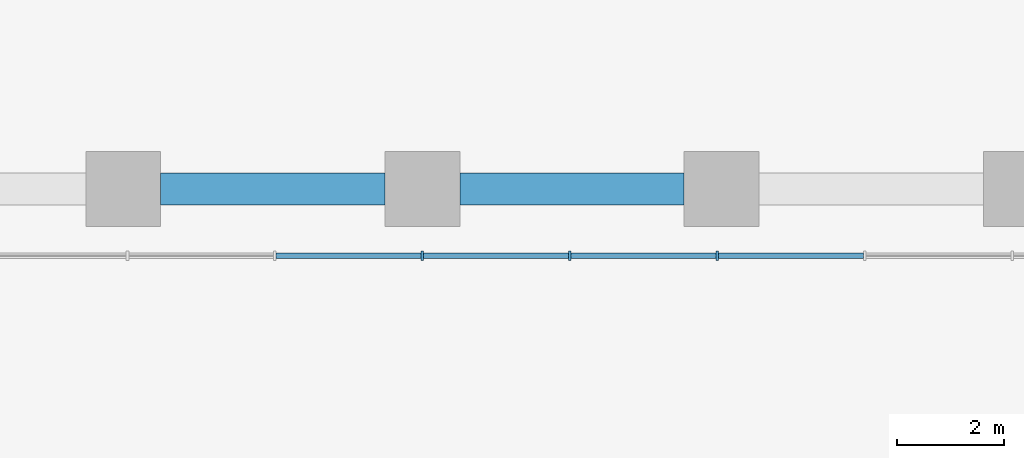
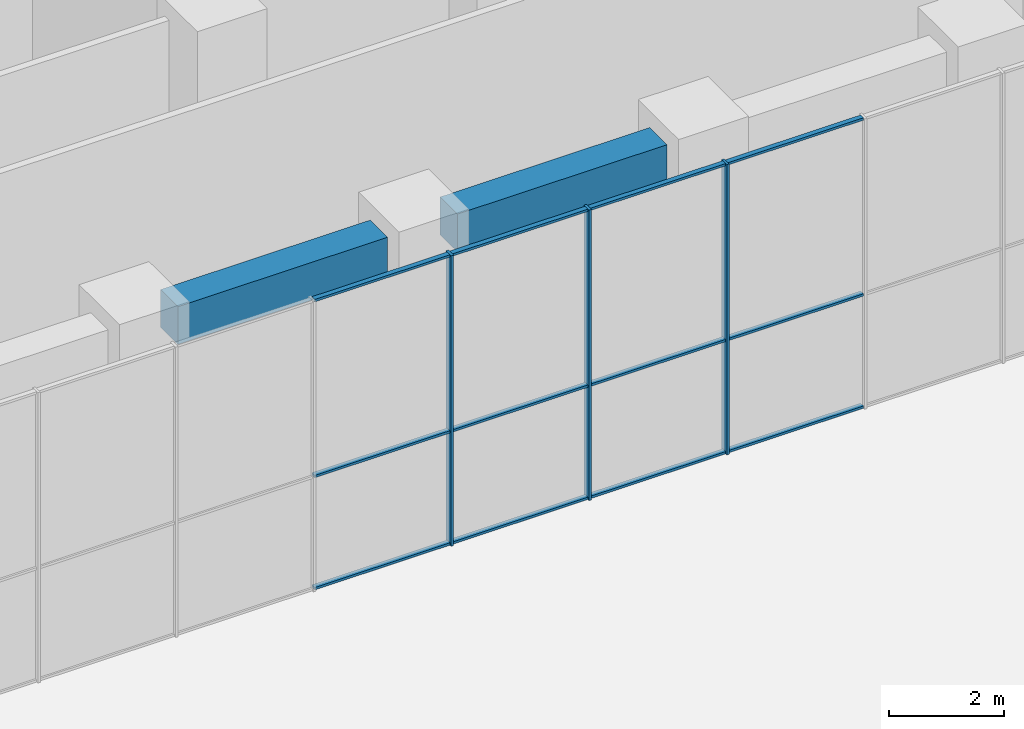
# One storey, part 13 of 51: 15 members, 2 beams, 1 element without a shape of its own.
"""IFC4 building model written with IfcOpenShell, lengths in metres."""

from ifc_helpers import new_model, si_unit, direction, frame, origin, origin_2d, place, context, subcontext, project, spatial, rectangle, extrude, material, layer, layer_set, material_profile, profile_set, type_object, element, aggregate, save


model = new_model("IFC4")

# Units and contexts
model_context = context("Model", 3, precision=1e-05, world=origin(), true_north=direction((0.0, 1.0)))
body_context = subcontext(model_context, "Body", "Model", "MODEL_VIEW")
ifc_project = project(units=[si_unit("LENGTHUNIT", "METRE"), si_unit("AREAUNIT", "SQUARE_METRE"), si_unit("VOLUMEUNIT", "CUBIC_METRE"), si_unit("PLANEANGLEUNIT", "RADIAN"), si_unit("MASSUNIT", "GRAM", prefix="KILO")], contexts=[model_context])

# Site, building, storey
site_placement = place(None, origin())
site = spatial("IfcSite", under=ifc_project, at=site_placement, CompositionType="ELEMENT")
building_placement = place(site_placement, origin())
building = spatial("IfcBuilding", under=site, at=building_placement, Name="Kiln Ring Residences", CompositionType="ELEMENT")
storey_placement = place(building_placement, origin())
storey = spatial("IfcBuildingStorey", under=building, at=storey_placement, Name="L00", CompositionType="ELEMENT", Elevation=0.0)

# Curtain wall, members
ifc_material_1 = material(Name="Aluminium and glass", Category="aluminium")
ifc_layer = layer(ifc_material_1, 0.179931640625)
ifc_layer_set = layer_set([ifc_layer], Name="CW2 CURTAIN WALL")
curtain_wall_type = type_object("IfcCurtainWallType", Name="CW2 CURTAIN WALL", PredefinedType="NOTDEFINED", material=ifc_layer_set)
curtain_wall_placement = place(storey_placement, origin())
curtain_wall = element("IfcCurtainWall", 1, at=curtain_wall_placement, inside=storey, type_object=curtain_wall_type, Name="Curtain wall CW2 L00", PredefinedType="NOTDEFINED")
ifc_material_2 = material(Name="Aluminium 6063-T6", Category="aluminium")
ifc_material_profile_1 = material_profile(ifc_material_2, rectangle(XDim=0.179931640625, YDim=0.050048828125, at=origin_2d()), Name="AL 180x50")
ifc_profile_set_1 = profile_set([ifc_material_profile_1], Name="Aluminium 6063-T6")
member_type_1 = type_object("IfcMemberType", Name="CW2 MULLION 180 x 50", PredefinedType="MULLION", material=ifc_profile_set_1)
member_1_placement = place(storey_placement, frame((0.0, 7.14990234375, 0.0), z_axis=(0.0, 0.0, 1.0), x_axis=(0.0, 1.0, 0.0)))
member_1 = element("IfcMember", 2, at=member_1_placement, type_object=member_type_1, Name="CW2 mullion 6", PredefinedType="MULLION", context=body_context, shape_type="SweptSolid", body=[
    extrude(rectangle(XDim=0.179931640625, YDim=0.050048828125, at=origin_2d()), origin(), (0.0, 0.0, 1.0), 6.14990234375),
])
member_2_placement = place(storey_placement, frame((2.760009765625, 7.14990234375, 0.0), z_axis=(0.0, 0.0, 1.0), x_axis=(0.0, 1.0, 0.0)))
member_2 = element("IfcMember", 3, at=member_2_placement, type_object=member_type_1, Name="CW2 mullion 7", PredefinedType="MULLION", context=body_context, shape_type="SweptSolid", body=[
    extrude(rectangle(XDim=0.179931640625, YDim=0.050048828125, at=origin_2d()), origin(), (0.0, 0.0, 1.0), 6.14990234375),
])
member_3_placement = place(storey_placement, frame((5.52001953125, 7.14990234375, 0.0), z_axis=(0.0, 0.0, 1.0), x_axis=(0.0, 1.0, 0.0)))
member_3 = element("IfcMember", 4, at=member_3_placement, type_object=member_type_1, Name="CW2 mullion 8", PredefinedType="MULLION", context=body_context, shape_type="SweptSolid", body=[
    extrude(rectangle(XDim=0.179931640625, YDim=0.050048828125, at=origin_2d()), origin(), (0.0, 0.0, 1.0), 6.14990234375),
])
ifc_material_3 = material(Name="Aluminium 6063-T6", Category="aluminium")
ifc_material_profile_2 = material_profile(ifc_material_3, rectangle(XDim=0.10009765625, YDim=0.050048828125, at=origin_2d()), Name="AL 100x50")
ifc_profile_set_2 = profile_set([ifc_material_profile_2], Name="Aluminium 6063-T6")
member_type_2 = type_object("IfcMemberType", Name="CW2 TRANSOM 100 x 50", PredefinedType="USERDEFINED", material=ifc_profile_set_2)
member_4_placement = place(storey_placement, frame((-2.735107421875, 7.14990234375, 0.02490234375), z_axis=(1.0, 0.0, 0.0), x_axis=(0.0, 1.0, 0.0)))
member_4 = element("IfcMember", 5, at=member_4_placement, type_object=member_type_2, Name="CW2 transom 5.1", ObjectType="TRANSOM", PredefinedType="USERDEFINED", context=body_context, shape_type="SweptSolid", body=[
    extrude(rectangle(XDim=0.10009765625, YDim=0.050048828125, at=origin_2d()), origin(), (0.0, 0.0, 1.0), 2.710205078125),
])
member_5_placement = place(storey_placement, frame((-2.735107421875, 7.14990234375, 2.39990234375), z_axis=(1.0, 0.0, 0.0), x_axis=(0.0, 1.0, 0.0)))
member_5 = element("IfcMember", 6, at=member_5_placement, type_object=member_type_2, Name="CW2 transom 5.2", ObjectType="TRANSOM", PredefinedType="USERDEFINED", context=body_context, shape_type="SweptSolid", body=[
    extrude(rectangle(XDim=0.10009765625, YDim=0.050048828125, at=origin_2d()), origin(), (0.0, 0.0, 1.0), 2.710205078125),
])
member_6_placement = place(storey_placement, frame((-2.735107421875, 7.14990234375, 6.125), z_axis=(1.0, 0.0, 0.0), x_axis=(0.0, 1.0, 0.0)))
member_6 = element("IfcMember", 7, at=member_6_placement, type_object=member_type_2, Name="CW2 transom 5.3", ObjectType="TRANSOM", PredefinedType="USERDEFINED", context=body_context, shape_type="SweptSolid", body=[
    extrude(rectangle(XDim=0.10009765625, YDim=0.050048828125, at=origin_2d()), origin(), (0.0, 0.0, 1.0), 2.710205078125),
])
member_7_placement = place(storey_placement, frame((0.02490234375, 7.14990234375, 0.02490234375), z_axis=(1.0, 0.0, 0.0), x_axis=(0.0, 1.0, 0.0)))
member_7 = element("IfcMember", 8, at=member_7_placement, type_object=member_type_2, Name="CW2 transom 6.1", ObjectType="TRANSOM", PredefinedType="USERDEFINED", context=body_context, shape_type="SweptSolid", body=[
    extrude(rectangle(XDim=0.10009765625, YDim=0.050048828125, at=origin_2d()), origin(), (0.0, 0.0, 1.0), 2.710205078125),
])
member_8_placement = place(storey_placement, frame((0.02490234375, 7.14990234375, 2.39990234375), z_axis=(1.0, 0.0, 0.0), x_axis=(0.0, 1.0, 0.0)))
member_8 = element("IfcMember", 9, at=member_8_placement, type_object=member_type_2, Name="CW2 transom 6.2", ObjectType="TRANSOM", PredefinedType="USERDEFINED", context=body_context, shape_type="SweptSolid", body=[
    extrude(rectangle(XDim=0.10009765625, YDim=0.050048828125, at=origin_2d()), origin(), (0.0, 0.0, 1.0), 2.710205078125),
])
member_9_placement = place(storey_placement, frame((0.02490234375, 7.14990234375, 6.125), z_axis=(1.0, 0.0, 0.0), x_axis=(0.0, 1.0, 0.0)))
member_9 = element("IfcMember", 10, at=member_9_placement, type_object=member_type_2, Name="CW2 transom 6.3", ObjectType="TRANSOM", PredefinedType="USERDEFINED", context=body_context, shape_type="SweptSolid", body=[
    extrude(rectangle(XDim=0.10009765625, YDim=0.050048828125, at=origin_2d()), origin(), (0.0, 0.0, 1.0), 2.710205078125),
])
member_10_placement = place(storey_placement, frame((2.784912109375, 7.14990234375, 0.02490234375), z_axis=(1.0, 0.0, 0.0), x_axis=(0.0, 1.0, 0.0)))
member_10 = element("IfcMember", 11, at=member_10_placement, type_object=member_type_2, Name="CW2 transom 7.1", ObjectType="TRANSOM", PredefinedType="USERDEFINED", context=body_context, shape_type="SweptSolid", body=[
    extrude(rectangle(XDim=0.10009765625, YDim=0.050048828125, at=origin_2d()), origin(), (0.0, 0.0, 1.0), 2.710205078125),
])
member_11_placement = place(storey_placement, frame((2.784912109375, 7.14990234375, 2.39990234375), z_axis=(1.0, 0.0, 0.0), x_axis=(0.0, 1.0, 0.0)))
member_11 = element("IfcMember", 12, at=member_11_placement, type_object=member_type_2, Name="CW2 transom 7.2", ObjectType="TRANSOM", PredefinedType="USERDEFINED", context=body_context, shape_type="SweptSolid", body=[
    extrude(rectangle(XDim=0.10009765625, YDim=0.050048828125, at=origin_2d()), origin(), (0.0, 0.0, 1.0), 2.710205078125),
])
member_12_placement = place(storey_placement, frame((2.784912109375, 7.14990234375, 6.125), z_axis=(1.0, 0.0, 0.0), x_axis=(0.0, 1.0, 0.0)))
member_12 = element("IfcMember", 13, at=member_12_placement, type_object=member_type_2, Name="CW2 transom 7.3", ObjectType="TRANSOM", PredefinedType="USERDEFINED", context=body_context, shape_type="SweptSolid", body=[
    extrude(rectangle(XDim=0.10009765625, YDim=0.050048828125, at=origin_2d()), origin(), (0.0, 0.0, 1.0), 2.710205078125),
])
member_13_placement = place(storey_placement, frame((5.544921875, 7.14990234375, 0.02490234375), z_axis=(1.0, 0.0, 0.0), x_axis=(0.0, 1.0, 0.0)))
member_13 = element("IfcMember", 14, at=member_13_placement, type_object=member_type_2, Name="CW2 transom 8.1", ObjectType="TRANSOM", PredefinedType="USERDEFINED", context=body_context, shape_type="SweptSolid", body=[
    extrude(rectangle(XDim=0.10009765625, YDim=0.050048828125, at=origin_2d()), origin(), (0.0, 0.0, 1.0), 2.7099609375),
])
member_14_placement = place(storey_placement, frame((5.544921875, 7.14990234375, 2.39990234375), z_axis=(1.0, 0.0, 0.0), x_axis=(0.0, 1.0, 0.0)))
member_14 = element("IfcMember", 15, at=member_14_placement, type_object=member_type_2, Name="CW2 transom 8.2", ObjectType="TRANSOM", PredefinedType="USERDEFINED", context=body_context, shape_type="SweptSolid", body=[
    extrude(rectangle(XDim=0.10009765625, YDim=0.050048828125, at=origin_2d()), origin(), (0.0, 0.0, 1.0), 2.7099609375),
])
member_15_placement = place(storey_placement, frame((5.544921875, 7.14990234375, 6.125), z_axis=(1.0, 0.0, 0.0), x_axis=(0.0, 1.0, 0.0)))
member_15 = element("IfcMember", 16, at=member_15_placement, type_object=member_type_2, Name="CW2 transom 8.3", ObjectType="TRANSOM", PredefinedType="USERDEFINED", context=body_context, shape_type="SweptSolid", body=[
    extrude(rectangle(XDim=0.10009765625, YDim=0.050048828125, at=origin_2d()), origin(), (0.0, 0.0, 1.0), 2.7099609375),
])
aggregate(curtain_wall, [member_1, member_2, member_3, member_4, member_5, member_6, member_7, member_8, member_9, member_10, member_11, member_12, member_13, member_14, member_15])

# Beams
ifc_material_4 = material(Name="Concrete C50/60", Category="concrete")
ifc_material_profile_3 = material_profile(ifc_material_4, rectangle(XDim=0.60009765625, YDim=0.800048828125, at=origin_2d()), Name="RC600x800")
ifc_profile_set_3 = profile_set([ifc_material_profile_3], Name="Concrete C50/60")
beam_type = type_object("IfcBeamType", Name="Ring beam RC600x800 C50/60", PredefinedType="BEAM", material=ifc_profile_set_3)
for number, where, z_axis, x_axis, name in (
    (17, (-4.89990234375, 8.39990234375, 5.75), (1.0, 0.0, 0.0), (0.0, 1.0, 0.0), "Ring beam L00 34"),
    (18, (0.699951171875, 8.39990234375, 5.75), (1.0, 0.0, 0.0), (0.0, 1.0, 0.0), "Ring beam L00 35"),
):
    element("IfcBeam", number, at=place(storey_placement, frame(where, z_axis=z_axis, x_axis=x_axis)), inside=storey, type_object=beam_type, Name=name, PredefinedType="BEAM", context=body_context, shape_type="SweptSolid", body=[
        extrude(rectangle(XDim=0.60009765625, YDim=0.800048828125, at=origin_2d()), origin(), (0.0, 0.0, 1.0), 4.199951171875),
    ])

save(model, "model.ifc")
